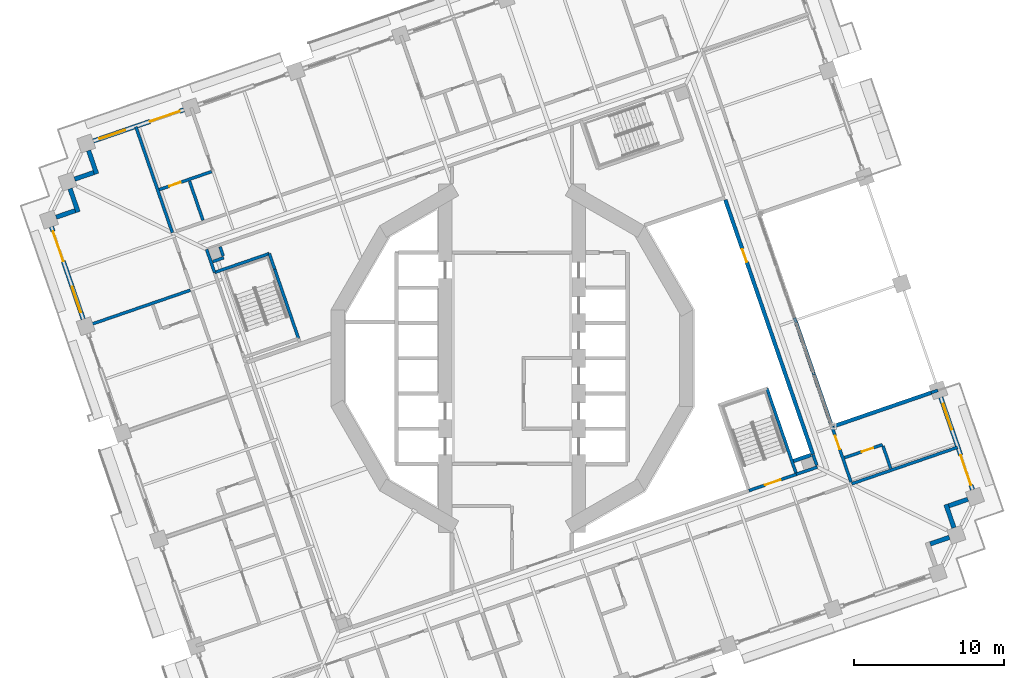
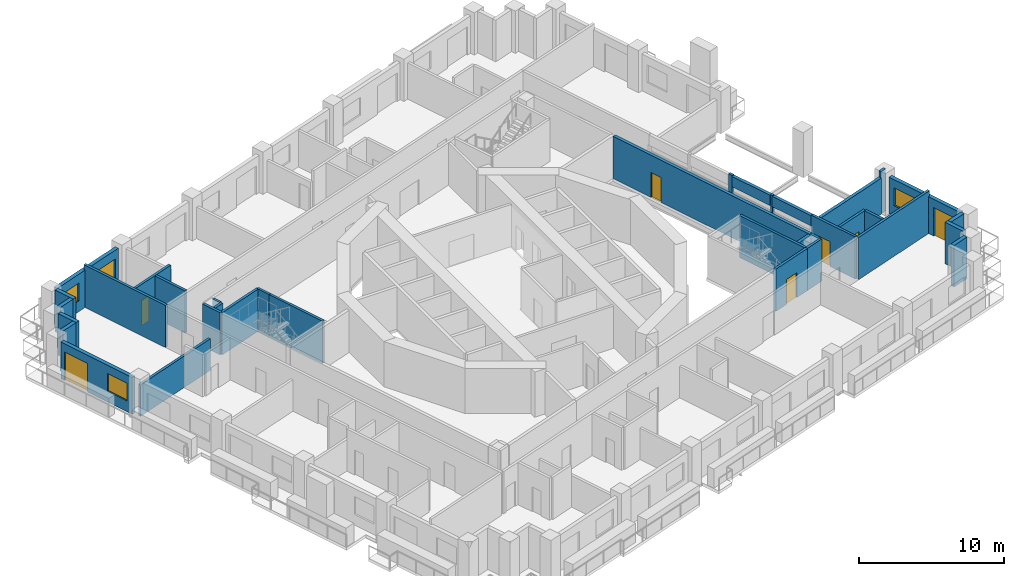
# One storey, part 11 of 21: 36 walls, 8 doors, 3 windows, 11 openings.
"""IFC4 building model written with IfcOpenShell, lengths in metres."""

import ifcopenshell
import ifcopenshell.guid

model = None  # the IFC model being written
_history = None  # IfcOwnerHistory: only IFC2X3 demands one
_inside = {}  # id of a spatial element -> (the spatial element, [elements in it])
_under = {}  # id of a project, library or spatial element -> (it, [spatial elements below it])
_declared = {}  # id of a project -> (the project, [libraries it declares])
_typed = {}  # id of a type object -> (the type object, [elements of that type])
_made_of = {}  # id of a material, layer set ... -> (it, [elements and type objects made of it])


def new_model(schema):
    """Start an empty IFC model of exactly this schema.

    Asked for "IFC4X3", IfcOpenShell would pick the latest addendum, in which some entities
    have other attributes; the version numbers below select the first issue.
    IFC2X3 requires an IfcOwnerHistory on every rooted entity: one is made here for all.
    """
    global model, _history
    if schema == "IFC4X3":
        model = ifcopenshell.file(schema_version=(4, 3, 0, 0))
    else:
        model = ifcopenshell.file(schema=schema)
    _inside.clear()
    _under.clear()
    _declared.clear()
    _typed.clear()
    _made_of.clear()
    _history = None
    if model.schema == "IFC2X3":
        org = make("IfcOrganization", Name="unknown")
        user = make(
            "IfcPersonAndOrganization",
            ThePerson=make("IfcPerson", FamilyName="unknown"),
            TheOrganization=org,
        )
        app = make(
            "IfcApplication",
            ApplicationDeveloper=org,
            Version="unknown",
            ApplicationFullName="unknown",
            ApplicationIdentifier="unknown",
        )
        _history = make(
            "IfcOwnerHistory",
            OwningUser=user,
            OwningApplication=app,
            ChangeAction="ADDED",
            CreationDate=0,
        )
    return model


def make(cls, **values):
    """One entity of the class cls with the attributes given. An attribute that is None is left unset."""
    return model.create_entity(
        cls, **{name: value for name, value in values.items() if value is not None}
    )


def rooted(cls, **values):
    """An entity with a GlobalId (a new one), such as an element, a storey or a relation."""
    return make(cls, GlobalId=ifcopenshell.guid.new(), OwnerHistory=_history, **values)


def si_unit(unit_type, name, prefix=None):
    """IfcSIUnit, for example si_unit("LENGTHUNIT", "METRE", prefix="MILLI")."""
    return make("IfcSIUnit", UnitType=unit_type, Prefix=prefix, Name=name)


def assignment(units):
    """IfcUnitAssignment: the units of a project."""
    return None if units is None else make("IfcUnitAssignment", Units=units)


def point(xyz):
    """IfcCartesianPoint."""
    return None if xyz is None else make("IfcCartesianPoint", Coordinates=xyz)


def direction(xyz):
    """IfcDirection."""
    return None if xyz is None else make("IfcDirection", DirectionRatios=xyz)


def frame(location, z_axis=None, x_axis=None):
    """IfcAxis2Placement3D, a coordinate frame: its origin and axes. An axis left out is left unset."""
    return make(
        "IfcAxis2Placement3D",
        Location=point(location),
        Axis=direction(z_axis),
        RefDirection=direction(x_axis),
    )


def frame_2d(location, x_axis=None):
    """IfcAxis2Placement2D, a coordinate frame in the plane: its origin and x axis."""
    return make(
        "IfcAxis2Placement2D", Location=point(location), RefDirection=direction(x_axis)
    )


def origin():
    """The frame at (0, 0, 0) with its axes left unset."""
    return frame((0.0, 0.0, 0.0))


def place(relative_to, where):
    """IfcLocalPlacement: puts the frame where relative to a parent placement (None: the world)."""
    return make(
        "IfcLocalPlacement", PlacementRelTo=relative_to, RelativePlacement=where
    )


def context(
    kind, dimensions, precision=None, world=None, true_north=None, identifier=None
):
    """IfcGeometricRepresentationContext, for example the 3D "Model" context."""
    return make(
        "IfcGeometricRepresentationContext",
        ContextIdentifier=identifier,
        ContextType=kind,
        CoordinateSpaceDimension=dimensions,
        Precision=precision,
        WorldCoordinateSystem=world,
        TrueNorth=true_north,
    )


def subcontext(parent, identifier, kind, view, scale=None):
    """IfcGeometricRepresentationSubContext, for example "Body" below "Model"."""
    return make(
        "IfcGeometricRepresentationSubContext",
        ContextIdentifier=identifier,
        ContextType=kind,
        ParentContext=parent,
        TargetScale=scale,
        TargetView=view,
    )


def project(units=None, contexts=None):
    """IfcProject with its units and contexts."""
    return rooted(
        "IfcProject",
        Name="project",
        RepresentationContexts=contexts,
        UnitsInContext=assignment(units),
    )


def spatial(cls, under=None, at=None, **own):
    """A site, building, storey or space (cls), placed at a placement, below another one or the project."""
    s = rooted(cls, ObjectPlacement=at, **own)
    if under is not None:
        _under.setdefault(under.id(), (under, []))[1].append(s)
    return s


def profile(cls, at=None, kind="AREA", **sizes):
    """A parametric profile (cls). Its sizes go by their IFC names, for example OverallWidth=200.0."""
    return make(cls, ProfileType=kind, Position=at, **sizes)


def rectangle(**sizes):
    """IfcRectangleProfileDef."""
    return profile("IfcRectangleProfileDef", **sizes)


def extrude(swept, where, along, depth):
    """IfcExtrudedAreaSolid: the profile swept, set in the frame where, extruded along a direction by depth."""
    return make(
        "IfcExtrudedAreaSolid",
        SweptArea=swept,
        Position=where,
        ExtrudedDirection=direction(along),
        Depth=depth,
    )


def shape(context_of_items, identifier, shape_type, items):
    """IfcShapeRepresentation: the items that make up one representation, for example the "Body"."""
    return make(
        "IfcShapeRepresentation",
        ContextOfItems=context_of_items,
        RepresentationIdentifier=identifier,
        RepresentationType=shape_type,
        Items=items,
    )


def material(Name=None, Category=None):
    """IfcMaterial."""
    return make("IfcMaterial", Name=Name, Category=Category)


def layer(
    of_material, thickness, ventilated=None, Name=None, Category=None, Priority=None
):
    """IfcMaterialLayer: one layer of a wall or slab, of a material (None: an air gap)."""
    return make(
        "IfcMaterialLayer",
        Material=of_material,
        LayerThickness=thickness,
        IsVentilated=ventilated,
        Name=Name,
        Category=Category,
        Priority=Priority,
    )


def layer_set(layers, Name=None):
    """IfcMaterialLayerSet."""
    return make("IfcMaterialLayerSet", MaterialLayers=layers, LayerSetName=Name)


def made_of(thing, what):
    """Note that an element or type object is made of a material, layer set ...; save() writes the relation."""
    if what is not None:
        _made_of.setdefault(what.id(), (what, []))[1].append(thing)
    return thing


def type_object(cls, material=None, **own):
    """A type object (cls), such as IfcWallType, which elements share."""
    return made_of(rooted(cls, **own), material)


def element(
    cls,
    number,
    at=None,
    inside=None,
    cuts=None,
    type_object=None,
    material=None,
    context=None,
    identifier="Body",
    shape_type=None,
    held_by="IfcProductDefinitionShape",
    body=None,
    shapes=None,
    **own,
):
    """One element of the class cls, such as IfcWall. Its Tag is "e" and its number.

    at: its placement. inside: the storey or other place that contains it. cuts: it is an
    opening in that element (IfcRelVoidsElement). A single representation is given by context,
    identifier, shape_type and body (its items); several are given by shapes. held_by: the class
    of the entity that holds the representations. save() writes the other relations.
    """
    e = rooted(cls, Tag="e%d" % number, ObjectPlacement=at, **own)
    if body is not None:
        shapes = [shape(context, identifier, shape_type, body)]
    if shapes is not None:
        e.Representation = make(held_by, Representations=shapes)
    if inside is not None:
        _inside.setdefault(inside.id(), (inside, []))[1].append(e)
    if cuts is not None:
        rooted(
            "IfcRelVoidsElement", RelatingBuildingElement=cuts, RelatedOpeningElement=e
        )
    if type_object is not None:
        _typed.setdefault(type_object.id(), (type_object, []))[1].append(e)
    return made_of(e, material)


def fill(opening, filler):
    """IfcRelFillsElement: the door or window that sits in an opening."""
    return rooted(
        "IfcRelFillsElement",
        RelatingOpeningElement=opening,
        RelatedBuildingElement=filler,
    )


def aggregate(whole, parts):
    """IfcRelAggregates: a whole, such as a stair, and the parts it consists of."""
    return rooted("IfcRelAggregates", RelatingObject=whole, RelatedObjects=parts)


def save(model, path):
    """Write the relations noted so far, then the file.

    IfcRelAggregates (storeys below a building ...), IfcRelContainedInSpatialStructure (elements
    in a storey), IfcRelDefinesByType, IfcRelAssociatesMaterial and IfcRelDeclares: one each for
    every whole, place, type object, material and project.
    """
    for whole, parts in _under.values():
        aggregate(whole, parts)
    for where, things in _inside.values():
        rooted(
            "IfcRelContainedInSpatialStructure",
            RelatedElements=things,
            RelatingStructure=where,
        )
    for kind, things in _typed.values():
        rooted("IfcRelDefinesByType", RelatedObjects=things, RelatingType=kind)
    for what, things in _made_of.values():
        rooted("IfcRelAssociatesMaterial", RelatedObjects=things, RelatingMaterial=what)
    for by, libraries in _declared.values():
        rooted("IfcRelDeclares", RelatingContext=by, RelatedDefinitions=libraries)
    model.write(path)


model = new_model("IFC4")

# Units and contexts
model_context = context("Model", 3, precision=1e-05, world=origin(), true_north=direction((0.0, 1.0)))
body_context = subcontext(model_context, "Body", "Model", "MODEL_VIEW")
ifc_project = project(units=[si_unit("LENGTHUNIT", "METRE"), si_unit("AREAUNIT", "SQUARE_METRE"), si_unit("VOLUMEUNIT", "CUBIC_METRE"), si_unit("PLANEANGLEUNIT", "RADIAN"), si_unit("MASSUNIT", "GRAM", prefix="KILO")], contexts=[model_context])

# Site, building, storey
site_placement = place(None, origin())
site = spatial("IfcSite", under=ifc_project, at=site_placement, CompositionType="ELEMENT")
building_placement = place(site_placement, origin())
building = spatial("IfcBuilding", under=site, at=building_placement, Name="Cantera Rosa Tower", CompositionType="ELEMENT")
storey_placement = place(building_placement, frame((0.0, 0.0, 119.300048828125)))
storey = spatial("IfcBuildingStorey", under=building, at=storey_placement, Name="L24", CompositionType="ELEMENT", Elevation=119.300048828125)

# Walls
ifc_material_1 = material(Name="Gypsum board partition")
ifc_layer_1 = layer(ifc_material_1, 0.199951171875)
ifc_layer_set_1 = layer_set([ifc_layer_1], Name="CORRIDOR WALL 200 H3550")
wall_type_1 = type_object("IfcWallType", Name="CORRIDOR WALL 200 H3550", PredefinedType="PARTITIONING", material=ifc_layer_set_1)
wall_1_placement = place(storey_placement, frame((-20.37451171875, 7.262451171875, 0.0), z_axis=(0.0, 0.0, 1.0), x_axis=(0.325532736599, -0.945530770204, 0.0)))
element("IfcWall", 1, at=wall_1_placement, inside=storey, type_object=wall_type_1, Name="CORRIDOR WALL L24-008", PredefinedType="PARTITIONING", context=body_context, shape_type="SweptSolid", body=[
    extrude(rectangle(XDim=1.626708984375, YDim=0.199951171875, at=frame_2d((0.8134765625, 0.0))), origin(), (0.0, 0.0, 1.0), 3.550048828125),
])
wall_2_placement = place(storey_placement, frame((18.978271484375, -7.7431640625, 0.0), z_axis=(0.0, 0.0, 1.0), x_axis=(0.945529243519, 0.32553717092, 0.0)))
element("IfcWall", 2, at=wall_2_placement, inside=storey, type_object=wall_type_1, Name="CORRIDOR WALL L24-101", PredefinedType="PARTITIONING", context=body_context, shape_type="SweptSolid", body=[
    extrude(rectangle(XDim=1.4765625, YDim=0.199951171875, at=frame_2d((0.73828125, 0.0))), origin(), (0.0, 0.0, 1.0), 3.550048828125),
])
wall_3_placement = place(storey_placement, frame((20.33544921875, -7.14892578125, 0.0), z_axis=(0.0, 0.0, 1.0), x_axis=(-0.32575306004, 0.945454887276, 0.0)))
element("IfcWall", 3, at=wall_3_placement, inside=storey, type_object=wall_type_1, Name="CORRIDOR WALL L24-104", PredefinedType="PARTITIONING", context=body_context, shape_type="SweptSolid", body=[
    extrude(rectangle(XDim=0.760009765625, YDim=0.199951171875, at=frame_2d((0.3798828125, 0.0))), origin(), (0.0, 0.0, 1.0), 3.550048828125),
])

# Wall, opening, door
wall_4_placement = place(storey_placement, frame((22.623291015625, -8.264892578125, 0.0), z_axis=(0.0, 0.0, 1.0), x_axis=(-0.325528940761, 0.945532077048, 0.0)))
wall_4 = element("IfcWall", 4, at=wall_4_placement, inside=storey, type_object=wall_type_1, Name="CORRIDOR WALL L24-107", PredefinedType="PARTITIONING", context=body_context, shape_type="SweptSolid", body=[
    extrude(rectangle(XDim=4.025146484375, YDim=0.199951171875, at=frame_2d((2.0126953125, 0.0))), origin(), (0.0, 0.0, 1.0), 3.550048828125),
])
opening_1_placement = place(wall_4_placement, frame((2.31494140625, 0.0, 0.0)))
opening_1 = element("IfcOpeningElement", 5, at=opening_1_placement, cuts=wall_4, Name="Opening L24-015", PredefinedType="OPENING", context=body_context, shape_type="SweptSolid", body=[
    extrude(rectangle(XDim=0.949951171875, YDim=2.10009765625, at=frame_2d((0.47509765625, 1.050048828125))), frame((0.0, 0.10986328125, 0.0), z_axis=(0.0, -1.0, 0.0), x_axis=(1.0, 0.0, 0.0)), (0.0, 0.0, 1.0), 0.219970703125),
])
ifc_material_2 = material(Name="Timber door leaf", Category="wood")
door_type_1 = type_object("IfcDoorType", Name="ROOM DOOR 950x2100", OperationType="NOTDEFINED", PredefinedType="DOOR", material=ifc_material_2)
door_1_placement = place(opening_1_placement, origin())
door_1 = element("IfcDoor", 6, at=door_1_placement, inside=storey, type_object=door_type_1, Name="DOOR L24-015", OperationType="NOTDEFINED", OverallHeight=2.10009765625, OverallWidth=0.949951171875, PredefinedType="DOOR", context=body_context, shape_type="SweptSolid", body=[
    extrude(rectangle(XDim=0.949951171875, YDim=2.10009765625, at=frame_2d((0.47509765625, 1.050048828125))), frame((0.0, 0.02490234375, 0.0), z_axis=(0.0, -1.0, 0.0), x_axis=(1.0, 0.0, 0.0)), (0.0, 0.0, 1.0), 0.050048828125),
])
fill(opening_1, door_1)

# Walls
wall_5_placement = place(storey_placement, frame((20.160888671875, -1.114013671875, 0.0), z_axis=(0.0, 0.0, 1.0), x_axis=(-0.324517262763, 0.945879773634, 0.0)))
element("IfcWall", 7, at=wall_5_placement, inside=storey, type_object=wall_type_1, Name="CORRIDOR WALL L24-108", PredefinedType="PARTITIONING", context=body_context, shape_type="SweptSolid", body=[
    extrude(rectangle(XDim=0.194091796875, YDim=0.199951171875, at=frame_2d((0.09716796875, 0.0))), origin(), (0.0, 0.0, 1.0), 3.550048828125),
])
wall_6_placement = place(storey_placement, frame((18.95947265625, 2.3759765625, 0.0), z_axis=(0.0, 0.0, 1.0), x_axis=(-0.325696116443, 0.945474505068, 0.0)))
element("IfcWall", 8, at=wall_6_placement, inside=storey, type_object=wall_type_1, Name="CORRIDOR WALL L24-109", PredefinedType="PARTITIONING", context=body_context, shape_type="SweptSolid", body=[
    extrude(rectangle(XDim=0.33203125, YDim=0.199951171875, at=frame_2d((0.166015625, 0.0))), origin(), (0.0, 0.0, 1.0), 3.550048828125),
])
ifc_material_3 = material(Name="Hollow clay masonry with cantera stone cladding", Category="masonry")
ifc_layer_2 = layer(ifc_material_3, 0.300048828125)
ifc_layer_set_2 = layer_set([ifc_layer_2], Name="EW-LOGGIA 300")
wall_type_2 = type_object("IfcWallType", Name="EW-LOGGIA 300", PredefinedType="SOLIDWALL", material=ifc_layer_set_2)
wall_7_placement = place(storey_placement, frame((-28.250732421875, 13.857421875, 0.0), z_axis=(0.0, 0.0, 1.0), x_axis=(0.325666906351, -0.945484566827, 0.0)))
element("IfcWall", 9, at=wall_7_placement, inside=storey, type_object=wall_type_2, Name="EN-L24-W14a", PredefinedType="SOLIDWALL", context=body_context, shape_type="SweptSolid", body=[
    extrude(rectangle(XDim=1.64990234375, YDim=0.300048828125, at=frame_2d((0.824951171875, 0.0))), origin(), (0.0, 0.0, 1.0), 3.5),
])
wall_8_placement = place(storey_placement, frame((-27.904052734375, 12.390380859375, 0.0), z_axis=(0.0, 0.0, 1.0), x_axis=(-0.945545797087, -0.325489086777, 0.0)))
element("IfcWall", 10, at=wall_8_placement, inside=storey, type_object=wall_type_2, Name="EN-L24-W14b", PredefinedType="SOLIDWALL", context=body_context, shape_type="SweptSolid", body=[
    extrude(rectangle(XDim=1.35009765625, YDim=0.300048828125, at=frame_2d((0.675048828125, 0.0))), origin(), (0.0, 0.0, 1.0), 3.5),
])
wall_9_placement = place(storey_placement, frame((-29.490478515625, 11.315185546875, 0.0), z_axis=(0.0, 0.0, 1.0), x_axis=(0.32553462645, -0.945530119553, 0.0)))
element("IfcWall", 11, at=wall_9_placement, inside=storey, type_object=wall_type_2, Name="EN-L24-W15a", PredefinedType="SOLIDWALL", context=body_context, shape_type="SweptSolid", body=[
    extrude(rectangle(XDim=1.64990234375, YDim=0.300048828125, at=frame_2d((0.824951171875, 0.0))), origin(), (0.0, 0.0, 1.0), 3.5),
])
wall_10_placement = place(storey_placement, frame((-29.14404296875, 9.84814453125, 0.0), z_axis=(0.0, 0.0, 1.0), x_axis=(-0.945526634763, -0.325544748006, 0.0)))
element("IfcWall", 12, at=wall_10_placement, inside=storey, type_object=wall_type_2, Name="EN-L24-W15b", PredefinedType="SOLIDWALL", context=body_context, shape_type="SweptSolid", body=[
    extrude(rectangle(XDim=1.349853515625, YDim=0.300048828125, at=frame_2d((0.6748046875, 0.0))), origin(), (0.0, 0.0, 1.0), 3.5),
])
wall_11_placement = place(storey_placement, frame((27.904052734375, -12.390380859375, 0.0), z_axis=(0.0, 0.0, 1.0), x_axis=(0.945545797087, 0.325489086777, 0.0)))
element("IfcWall", 13, at=wall_11_placement, inside=storey, type_object=wall_type_2, Name="EN-L24-W29b", PredefinedType="SOLIDWALL", context=body_context, shape_type="SweptSolid", body=[
    extrude(rectangle(XDim=1.35009765625, YDim=0.300048828125, at=frame_2d((0.675048828125, 0.0))), origin(), (0.0, 0.0, 1.0), 3.5),
])
wall_12_placement = place(storey_placement, frame((29.490478515625, -11.315185546875, 0.0), z_axis=(0.0, 0.0, 1.0), x_axis=(-0.32553462645, 0.945530119553, 0.0)))
element("IfcWall", 14, at=wall_12_placement, inside=storey, type_object=wall_type_2, Name="EN-L24-W30a", PredefinedType="SOLIDWALL", context=body_context, shape_type="SweptSolid", body=[
    extrude(rectangle(XDim=1.64990234375, YDim=0.300048828125, at=frame_2d((0.824951171875, 0.0))), origin(), (0.0, 0.0, 1.0), 3.5),
])
wall_13_placement = place(storey_placement, frame((29.14404296875, -9.84814453125, 0.0), z_axis=(0.0, 0.0, 1.0), x_axis=(0.945526634763, 0.325544748006, 0.0)))
element("IfcWall", 15, at=wall_13_placement, inside=storey, type_object=wall_type_2, Name="EN-L24-W30b", PredefinedType="SOLIDWALL", context=body_context, shape_type="SweptSolid", body=[
    extrude(rectangle(XDim=1.349853515625, YDim=0.300048828125, at=frame_2d((0.6748046875, 0.0))), origin(), (0.0, 0.0, 1.0), 3.5),
])

# Wall, openings, window, door
ifc_material_4 = material(Name="Hollow clay masonry with cantera stone cladding", Category="masonry")
ifc_layer_3 = layer(ifc_material_4, 0.300048828125)
ifc_layer_set_3 = layer_set([ifc_layer_3], Name="EW-LOGGIA 300 H3090")
wall_type_3 = type_object("IfcWallType", Name="EW-LOGGIA 300 H3090", PredefinedType="SOLIDWALL", material=ifc_layer_set_3)
wall_14_placement = place(storey_placement, frame((30.73046875, -8.773193359375, 0.0), z_axis=(0.0, 0.0, 1.0), x_axis=(-0.325580990241, 0.945514155787, 0.0)))
wall_14 = element("IfcWall", 16, at=wall_14_placement, inside=storey, type_object=wall_type_3, Name="EN-L24-W01", PredefinedType="SOLIDWALL", context=body_context, shape_type="SweptSolid", body=[
    extrude(rectangle(XDim=6.52001953125, YDim=0.300048828125, at=frame_2d((3.260009765625, 0.0))), origin(), (0.0, 0.0, 1.0), 3.08984375),
])
opening_2_placement = place(wall_14_placement, frame((0.330078125, 0.0, 0.0)))
opening_2 = element("IfcOpeningElement", 17, at=opening_2_placement, cuts=wall_14, Name="Opening L24-TD01", PredefinedType="OPENING", context=body_context, shape_type="SweptSolid", body=[
    extrude(rectangle(XDim=2.10009765625, YDim=2.39990234375, at=frame_2d((1.050048828125, 1.199951171875))), frame((0.0, 0.159912109375, 0.0), z_axis=(0.0, -1.0, 0.0), x_axis=(1.0, 0.0, 0.0)), (0.0, 0.0, 1.0), 0.320068359375),
])
opening_3_placement = place(wall_14_placement, frame((4.239990234375, 0.0, 0.89990234375)))
opening_3 = element("IfcOpeningElement", 18, at=opening_3_placement, cuts=wall_14, Name="Opening L24-W02", PredefinedType="OPENING", context=body_context, shape_type="SweptSolid", body=[
    extrude(rectangle(XDim=1.800048828125, YDim=1.5, at=frame_2d((0.89990234375, 0.75))), frame((0.0, 0.159912109375, 0.0), z_axis=(0.0, -1.0, 0.0), x_axis=(1.0, 0.0, 0.0)), (0.0, 0.0, 1.0), 0.320068359375),
])
ifc_material_5 = material(Name="Aluminium frame with clear glass", Category="aluminium")
window_type = type_object("IfcWindowType", Name="Hotel room window 1800x1500", PartitioningType="DOUBLE_PANEL_VERTICAL", PredefinedType="WINDOW", material=ifc_material_5)
window_1_placement = place(opening_3_placement, origin())
window_1 = element("IfcWindow", 19, at=window_1_placement, inside=storey, type_object=window_type, Name="WINDOW L24-W02", OverallHeight=1.5, OverallWidth=1.800048828125, PartitioningType="SINGLE_PANEL", PredefinedType="WINDOW", context=body_context, shape_type="SweptSolid", body=[
    extrude(rectangle(XDim=1.800048828125, YDim=1.5, at=frame_2d((0.89990234375, 0.75))), frame((0.0, 0.030029296875, 0.0), z_axis=(0.0, -1.0, 0.0), x_axis=(1.0, 0.0, 0.0)), (0.0, 0.0, 1.0), 0.06005859375),
])
fill(opening_3, window_1)
ifc_material_6 = material(Name="Aluminium frame with clear glass", Category="aluminium")
door_type_2 = type_object("IfcDoorType", Name="TD-H 2100x2400", OperationType="NOTDEFINED", PredefinedType="DOOR", material=ifc_material_6)
door_2_placement = place(opening_2_placement, origin())
door_2 = element("IfcDoor", 20, at=door_2_placement, inside=storey, type_object=door_type_2, Name="LOGGIA DOOR L24-TD01", OperationType="SLIDING_TO_LEFT", OverallHeight=2.39990234375, OverallWidth=2.10009765625, PredefinedType="DOOR", context=body_context, shape_type="SweptSolid", body=[
    extrude(rectangle(XDim=2.10009765625, YDim=2.39990234375, at=frame_2d((1.050048828125, 1.199951171875))), frame((0.0, 0.02490234375, 0.0), z_axis=(0.0, -1.0, 0.0), x_axis=(1.0, 0.0, 0.0)), (0.0, 0.0, 1.0), 0.050048828125),
])
fill(opening_2, door_2)

wall_15_placement = place(storey_placement, frame((-30.73046875, 8.773193359375, 0.0), z_axis=(0.0, 0.0, 1.0), x_axis=(0.325580990241, -0.945514155787, 0.0)))
wall_15 = element("IfcWall", 21, at=wall_15_placement, inside=storey, type_object=wall_type_3, Name="EN-L24-W16", PredefinedType="SOLIDWALL", context=body_context, shape_type="SweptSolid", body=[
    extrude(rectangle(XDim=6.52001953125, YDim=0.300048828125, at=frame_2d((3.260009765625, 0.0))), origin(), (0.0, 0.0, 1.0), 3.08984375),
])
opening_4_placement = place(wall_15_placement, frame((0.330078125, 0.0, 0.0)))
opening_4 = element("IfcOpeningElement", 22, at=opening_4_placement, cuts=wall_15, Name="Opening L24-TD19", PredefinedType="OPENING", context=body_context, shape_type="SweptSolid", body=[
    extrude(rectangle(XDim=2.10009765625, YDim=2.39990234375, at=frame_2d((1.050048828125, 1.199951171875))), frame((0.0, 0.159912109375, 0.0), z_axis=(0.0, -1.0, 0.0), x_axis=(1.0, 0.0, 0.0)), (0.0, 0.0, 1.0), 0.320068359375),
])
opening_5_placement = place(wall_15_placement, frame((4.239990234375, 0.0, 0.89990234375)))
opening_5 = element("IfcOpeningElement", 23, at=opening_5_placement, cuts=wall_15, Name="Opening L24-W20", PredefinedType="OPENING", context=body_context, shape_type="SweptSolid", body=[
    extrude(rectangle(XDim=1.800048828125, YDim=1.5, at=frame_2d((0.89990234375, 0.75))), frame((0.0, 0.159912109375, 0.0), z_axis=(0.0, -1.0, 0.0), x_axis=(1.0, 0.0, 0.0)), (0.0, 0.0, 1.0), 0.320068359375),
])
window_2_placement = place(opening_5_placement, origin())
window_2 = element("IfcWindow", 24, at=window_2_placement, inside=storey, type_object=window_type, Name="WINDOW L24-W20", OverallHeight=1.5, OverallWidth=1.800048828125, PartitioningType="SINGLE_PANEL", PredefinedType="WINDOW", context=body_context, shape_type="SweptSolid", body=[
    extrude(rectangle(XDim=1.800048828125, YDim=1.5, at=frame_2d((0.89990234375, 0.75))), frame((0.0, 0.030029296875, 0.0), z_axis=(0.0, -1.0, 0.0), x_axis=(1.0, 0.0, 0.0)), (0.0, 0.0, 1.0), 0.06005859375),
])
fill(opening_5, window_2)
door_3_placement = place(opening_4_placement, origin())
door_3 = element("IfcDoor", 25, at=door_3_placement, inside=storey, type_object=door_type_2, Name="LOGGIA DOOR L24-TD19", OperationType="SLIDING_TO_LEFT", OverallHeight=2.39990234375, OverallWidth=2.10009765625, PredefinedType="DOOR", context=body_context, shape_type="SweptSolid", body=[
    extrude(rectangle(XDim=2.10009765625, YDim=2.39990234375, at=frame_2d((1.050048828125, 1.199951171875))), frame((0.0, 0.02490234375, 0.0), z_axis=(0.0, -1.0, 0.0), x_axis=(1.0, 0.0, 0.0)), (0.0, 0.0, 1.0), 0.050048828125),
])
fill(opening_4, door_3)

ifc_material_7 = material(Name="Hollow clay masonry with cantera stone cladding", Category="masonry")
ifc_layer_4 = layer(ifc_material_7, 0.300048828125)
ifc_layer_set_4 = layer_set([ifc_layer_4], Name="EW-LOGGIA 300 H3140")
wall_type_4 = type_object("IfcWallType", Name="EW-LOGGIA 300 H3140", PredefinedType="SOLIDWALL", material=ifc_layer_set_4)
wall_16_placement = place(storey_placement, frame((-21.889404296875, 16.57666015625, 0.0), z_axis=(0.0, 0.0, 1.0), x_axis=(-0.945512753621, -0.325585062219, 0.0)))
wall_16 = element("IfcWall", 26, at=wall_16_placement, inside=storey, type_object=wall_type_4, Name="EN-L24-W13", PredefinedType="SOLIDWALL", context=body_context, shape_type="SweptSolid", body=[
    extrude(rectangle(XDim=6.39990234375, YDim=0.300048828125, at=frame_2d((3.199951171875, 0.0))), origin(), (0.0, 0.0, 1.0), 3.139892578125),
])
opening_6_placement = place(wall_16_placement, frame((0.300048828125, 0.0, 0.0)))
opening_6 = element("IfcOpeningElement", 27, at=opening_6_placement, cuts=wall_16, Name="Opening L24-TD17", PredefinedType="OPENING", context=body_context, shape_type="SweptSolid", body=[
    extrude(rectangle(XDim=2.10009765625, YDim=2.39990234375, at=frame_2d((1.050048828125, 1.199951171875))), frame((0.0, 0.159912109375, 0.0), z_axis=(0.0, -1.0, 0.0), x_axis=(1.0, 0.0, 0.0)), (0.0, 0.0, 1.0), 0.320068359375),
])
opening_7_placement = place(wall_16_placement, frame((4.14990234375, 0.0, 0.89990234375)))
opening_7 = element("IfcOpeningElement", 28, at=opening_7_placement, cuts=wall_16, Name="Opening L24-W18", PredefinedType="OPENING", context=body_context, shape_type="SweptSolid", body=[
    extrude(rectangle(XDim=1.800048828125, YDim=1.5, at=frame_2d((0.89990234375, 0.75))), frame((0.0, 0.159912109375, 0.0), z_axis=(0.0, -1.0, 0.0), x_axis=(1.0, 0.0, 0.0)), (0.0, 0.0, 1.0), 0.320068359375),
])
window_3_placement = place(opening_7_placement, origin())
window_3 = element("IfcWindow", 29, at=window_3_placement, inside=storey, type_object=window_type, Name="WINDOW L24-W18", OverallHeight=1.5, OverallWidth=1.800048828125, PartitioningType="SINGLE_PANEL", PredefinedType="WINDOW", context=body_context, shape_type="SweptSolid", body=[
    extrude(rectangle(XDim=1.800048828125, YDim=1.5, at=frame_2d((0.89990234375, 0.75))), frame((0.0, 0.030029296875, 0.0), z_axis=(0.0, -1.0, 0.0), x_axis=(1.0, 0.0, 0.0)), (0.0, 0.0, 1.0), 0.06005859375),
])
fill(opening_7, window_3)
door_4_placement = place(opening_6_placement, origin())
door_4 = element("IfcDoor", 30, at=door_4_placement, inside=storey, type_object=door_type_2, Name="LOGGIA DOOR L24-TD17", OperationType="SLIDING_TO_LEFT", OverallHeight=2.39990234375, OverallWidth=2.10009765625, PredefinedType="DOOR", context=body_context, shape_type="SweptSolid", body=[
    extrude(rectangle(XDim=2.10009765625, YDim=2.39990234375, at=frame_2d((1.050048828125, 1.199951171875))), frame((0.0, 0.02490234375, 0.0), z_axis=(0.0, -1.0, 0.0), x_axis=(1.0, 0.0, 0.0)), (0.0, 0.0, 1.0), 0.050048828125),
])
fill(opening_6, door_4)

# Walls
ifc_material_8 = material(Name="Concrete C40/50", Category="concrete")
ifc_layer_5 = layer(ifc_material_8, 0.25)
ifc_layer_set_5 = layer_set([ifc_layer_5], Name="EW-POCKET CHEEK 250 H3020")
wall_type_5 = type_object("IfcWallType", Name="EW-POCKET CHEEK 250 H3020", PredefinedType="SOLIDWALL", material=ifc_layer_set_5)
wall_17_placement = place(storey_placement, frame((27.97216796875, -2.29833984375, 0.0), z_axis=(0.0, 0.0, 1.0), x_axis=(-0.945519909688, -0.325564279958, 0.0)))
element("IfcWall", 31, at=wall_17_placement, inside=storey, type_object=wall_type_5, Name="POCKET CHEEK A L24", PredefinedType="SOLIDWALL", context=body_context, shape_type="SweptSolid", body=[
    extrude(rectangle(XDim=6.89990234375, YDim=0.25, at=frame_2d((3.449951171875, 0.0))), origin(), (0.0, 0.0, 1.0), 3.02001953125),
])
ifc_material_9 = material(Name="Hollow clay masonry with cantera stone cladding", Category="masonry")
ifc_layer_6 = layer(ifc_material_9, 0.25)
ifc_layer_set_6 = layer_set([ifc_layer_6], Name="EW-POCKET REAR 250")
wall_type_6 = type_object("IfcWallType", Name="EW-POCKET REAR 250", PredefinedType="SOLIDWALL", material=ifc_layer_set_6)
wall_18_placement = place(storey_placement, frame((21.31298828125, -4.459228515625, 2.634033203125), z_axis=(0.0, 0.0, 1.0), x_axis=(-0.3255483351, 0.945525399719, 0.0)))
element("IfcWall", 32, at=wall_18_placement, inside=storey, type_object=wall_type_6, Name="POCKET SPANDREL L24-1", PredefinedType="SOLIDWALL", context=body_context, shape_type="SweptSolid", body=[
    extrude(rectangle(XDim=3.5380859375, YDim=0.25, at=frame_2d((1.76904296875, 0.0))), origin(), (0.0, 0.0, 1.0), 0.865966796875),
])
wall_19_placement = place(storey_placement, frame((20.097900390625, -0.930419921875, 2.634033203125), z_axis=(0.0, 0.0, 1.0), x_axis=(-0.325553869417, 0.945523494212, 0.0)))
element("IfcWall", 33, at=wall_19_placement, inside=storey, type_object=wall_type_6, Name="POCKET SPANDREL L24-2", PredefinedType="SOLIDWALL", context=body_context, shape_type="SweptSolid", body=[
    extrude(rectangle(XDim=3.496826171875, YDim=0.25, at=frame_2d((1.74853515625, 0.0))), origin(), (0.0, 0.0, 1.0), 0.865966796875),
])
ifc_material_10 = material(Name="Gypsum board partition")
ifc_layer_7 = layer(ifc_material_10, 0.199951171875)
ifc_layer_set_7 = layer_set([ifc_layer_7], Name="PARTITION 200 H3550")
wall_type_7 = type_object("IfcWallType", Name="PARTITION 200 H3550", PredefinedType="PARTITIONING", material=ifc_layer_set_7)
wall_20_placement = place(storey_placement, frame((-21.52001953125, 11.817626953125, 0.0), z_axis=(0.0, 0.0, 1.0), x_axis=(0.325606281984, -0.945505446379, 0.0)))
element("IfcWall", 34, at=wall_20_placement, inside=storey, type_object=wall_type_7, Name="PARTITION L24-005", PredefinedType="PARTITIONING", context=body_context, shape_type="SweptSolid", body=[
    extrude(rectangle(XDim=2.760009765625, YDim=0.199951171875, at=frame_2d((1.3798828125, 0.0))), origin(), (0.0, 0.0, 1.0), 3.550048828125),
])
wall_21_placement = place(storey_placement, frame((-19.968017578125, 6.450439453125, 0.0), z_axis=(0.0, 0.0, 1.0), x_axis=(0.945539165087, 0.325508352099, 0.0)))
element("IfcWall", 35, at=wall_21_placement, inside=storey, type_object=wall_type_7, Name="PARTITION L24-009", PredefinedType="PARTITIONING", context=body_context, shape_type="SweptSolid", body=[
    extrude(rectangle(XDim=0.780029296875, YDim=0.199951171875, at=frame_2d((0.39013671875, 0.0))), origin(), (0.0, 0.0, 1.0), 3.550048828125),
])

# Wall, opening, door
wall_22_placement = place(storey_placement, frame((-20.046142578125, 12.451904296875, 0.0), z_axis=(0.0, 0.0, 1.0), x_axis=(-0.945515942466, -0.32557580153, 0.0)))
wall_22 = element("IfcWall", 36, at=wall_22_placement, inside=storey, type_object=wall_type_7, Name="PARTITION L24-010", PredefinedType="PARTITIONING", context=body_context, shape_type="SweptSolid", body=[
    extrude(rectangle(XDim=3.699951171875, YDim=0.199951171875, at=frame_2d((1.85009765625, 0.0))), origin(), (0.0, 0.0, 1.0), 3.550048828125),
])
opening_8_placement = place(wall_22_placement, frame((2.18994140625, 0.0, 0.0)))
opening_8 = element("IfcOpeningElement", 37, at=opening_8_placement, cuts=wall_22, Name="Opening L24-024", PredefinedType="OPENING", context=body_context, shape_type="SweptSolid", body=[
    extrude(rectangle(XDim=0.800048828125, YDim=2.10009765625, at=frame_2d((0.39990234375, 1.050048828125))), frame((0.0, 0.10986328125, 0.0), z_axis=(0.0, -1.0, 0.0), x_axis=(1.0, 0.0, 0.0)), (0.0, 0.0, 1.0), 0.219970703125),
])
ifc_material_11 = material(Name="Timber door leaf", Category="wood")
door_type_3 = type_object("IfcDoorType", Name="BATHROOM DOOR 800x2100", OperationType="NOTDEFINED", PredefinedType="DOOR", material=ifc_material_11)
door_5_placement = place(opening_8_placement, origin())
door_5 = element("IfcDoor", 38, at=door_5_placement, inside=storey, type_object=door_type_3, Name="DOOR L24-024", OperationType="NOTDEFINED", OverallHeight=2.10009765625, OverallWidth=0.800048828125, PredefinedType="DOOR", context=body_context, shape_type="SweptSolid", body=[
    extrude(rectangle(XDim=0.800048828125, YDim=2.10009765625, at=frame_2d((0.39990234375, 1.050048828125))), frame((0.0, 0.02490234375, 0.0), z_axis=(0.0, -1.0, 0.0), x_axis=(1.0, 0.0, 0.0)), (0.0, 0.0, 1.0), 0.050048828125),
])
fill(opening_8, door_5)

# Walls
wall_23_placement = place(storey_placement, frame((-19.26953125, 6.81787109375, 0.0), z_axis=(0.0, 0.0, 1.0), x_axis=(-0.32553462645, 0.945530119553, 0.0)))
element("IfcWall", 39, at=wall_23_placement, inside=storey, type_object=wall_type_7, Name="PARTITION L24-015", PredefinedType="PARTITIONING", context=body_context, shape_type="SweptSolid", body=[
    extrude(rectangle(XDim=0.659912109375, YDim=0.199951171875, at=frame_2d((0.330078125, 0.0))), origin(), (0.0, 0.0, 1.0), 3.550048828125),
])
wall_24_placement = place(storey_placement, frame((27.97216796875, -2.29833984375, 0.0), z_axis=(0.0, 0.0, 1.0), x_axis=(0.94546679243, 0.325718504865, 0.0)))
element("IfcWall", 40, at=wall_24_placement, inside=storey, type_object=wall_type_7, Name="PARTITION L24-105", PredefinedType="PARTITIONING", context=body_context, shape_type="SweptSolid", body=[
    extrude(rectangle(XDim=0.469970703125, YDim=0.199951171875, at=frame_2d((0.23486328125, 0.0))), origin(), (0.0, 0.0, 1.0), 3.550048828125),
])

# Wall, opening, door
wall_25_placement = place(storey_placement, frame((22.189697265625, -6.63720703125, 0.0), z_axis=(0.0, 0.0, 1.0), x_axis=(0.945549995074, 0.325476891368, 0.0)))
wall_25 = element("IfcWall", 41, at=wall_25_placement, inside=storey, type_object=wall_type_7, Name="PARTITION L24-106", PredefinedType="PARTITIONING", context=body_context, shape_type="SweptSolid", body=[
    extrude(rectangle(XDim=2.68017578125, YDim=0.199951171875, at=frame_2d((1.340087890625, 0.0))), origin(), (0.0, 0.0, 1.0), 3.550048828125),
])
opening_9_placement = place(wall_25_placement, frame((1.216064453125, 0.0, 0.0)))
opening_9 = element("IfcOpeningElement", 42, at=opening_9_placement, cuts=wall_25, Name="Opening L24-016", PredefinedType="OPENING", context=body_context, shape_type="SweptSolid", body=[
    extrude(rectangle(XDim=0.800048828125, YDim=2.10009765625, at=frame_2d((0.39990234375, 1.050048828125))), frame((0.0, 0.10986328125, 0.0), z_axis=(0.0, -1.0, 0.0), x_axis=(1.0, 0.0, 0.0)), (0.0, 0.0, 1.0), 0.219970703125),
])
door_6_placement = place(opening_9_placement, origin())
door_6 = element("IfcDoor", 43, at=door_6_placement, inside=storey, type_object=door_type_3, Name="DOOR L24-016", OperationType="NOTDEFINED", OverallHeight=2.10009765625, OverallWidth=0.800048828125, PredefinedType="DOOR", context=body_context, shape_type="SweptSolid", body=[
    extrude(rectangle(XDim=0.800048828125, YDim=2.10009765625, at=frame_2d((0.39990234375, 1.050048828125))), frame((0.0, 0.02490234375, 0.0), z_axis=(0.0, -1.0, 0.0), x_axis=(1.0, 0.0, 0.0)), (0.0, 0.0, 1.0), 0.050048828125),
])
fill(opening_9, door_6)

# Walls
wall_26_placement = place(storey_placement, frame((24.75634765625, -5.859375, 0.0), z_axis=(0.0, 0.0, 1.0), x_axis=(0.325576351052, -0.945515753246, 0.0)))
element("IfcWall", 44, at=wall_26_placement, inside=storey, type_object=wall_type_7, Name="PARTITION L24-113", PredefinedType="PARTITIONING", context=body_context, shape_type="SweptSolid", body=[
    extrude(rectangle(XDim=1.580078125, YDim=0.199951171875, at=frame_2d((0.7900390625, 0.0))), origin(), (0.0, 0.0, 1.0), 3.550048828125),
])
ifc_material_12 = material(Name="Gypsum board partition")
ifc_layer_8 = layer(ifc_material_12, 0.199951171875)
ifc_layer_set_8 = layer_set([ifc_layer_8], Name="PARTY WALL 200 H2650")
wall_type_8 = type_object("IfcWallType", Name="PARTY WALL 200 H2650", PredefinedType="PARTITIONING", material=ifc_layer_set_8)
wall_27_placement = place(storey_placement, frame((-28.41650390625, 2.145263671875, 0.0), z_axis=(0.0, 0.0, 1.0), x_axis=(0.945511269654, 0.32558937169, 0.0)))
element("IfcWall", 45, at=wall_27_placement, inside=storey, type_object=wall_type_8, Name="PARTY WALL L24-001", PredefinedType="PARTITIONING", context=body_context, shape_type="SweptSolid", body=[
    extrude(rectangle(XDim=7.349853515625, YDim=0.199951171875, at=frame_2d((3.6748046875, 0.0))), origin(), (0.0, 0.0, 1.0), 2.64990234375),
])
ifc_material_13 = material(Name="Gypsum board partition")
ifc_layer_9 = layer(ifc_material_13, 0.199951171875)
ifc_layer_set_9 = layer_set([ifc_layer_9], Name="PARTY WALL 200 H3550")
wall_type_9 = type_object("IfcWallType", Name="PARTY WALL 200 H3550", PredefinedType="PARTITIONING", material=ifc_layer_set_9)
for number, where, z_axis, x_axis, name in (
    (46, (-22.662353515625, 8.37841796875, 0.0), (0.0, 0.0, 1.0), (-0.325585748291, 0.945512517373, 0.0), "PARTY WALL L24-003"),
    (47, (29.725341796875, -5.9462890625, 0.0), (0.0, 0.0, 1.0), (-0.945512517373, -0.325585748291, 0.0), "PARTY WALL L24-114"),
):
    element("IfcWall", number, at=place(storey_placement, frame(where, z_axis=z_axis, x_axis=x_axis)), inside=storey, type_object=wall_type_9, Name=name, PredefinedType="PARTITIONING", context=body_context, shape_type="SweptSolid", body=[
        extrude(rectangle(XDim=7.469970703125, YDim=0.199951171875, at=frame_2d((3.73486328125, 0.0))), origin(), (0.0, 0.0, 1.0), 3.550048828125),
    ])

# Wall, opening, door
ifc_material_14 = material(Name="Masonry blockwork", Category="masonry")
ifc_layer_10 = layer(ifc_material_14, 0.25)
ifc_layer_set_10 = layer_set([ifc_layer_10], Name="SHAFT WALL 250 H3550")
wall_type_10 = type_object("IfcWallType", Name="SHAFT WALL 250 H3550", PredefinedType="SOLIDWALL", material=ifc_layer_set_10)
wall_28_placement = place(storey_placement, frame((20.081298828125, -6.411376953125, 0.0), z_axis=(0.0, 0.0, 1.0), x_axis=(-0.325567528954, 0.945518790977, 0.0)))
wall_28 = element("IfcWall", 48, at=wall_28_placement, inside=storey, type_object=wall_type_10, Name="SHAFT WALL L24-102", PredefinedType="SOLIDWALL", context=body_context, shape_type="SweptSolid", body=[
    extrude(rectangle(XDim=17.9599609375, YDim=0.25, at=frame_2d((8.97998046875, 0.0))), origin(), (0.0, 0.0, 1.0), 3.550048828125),
])
opening_10_placement = place(wall_28_placement, frame((13.577392578125, 0.0, 0.0)))
opening_10 = element("IfcOpeningElement", 49, at=opening_10_placement, cuts=wall_28, Name="Opening L24-006", PredefinedType="OPENING", context=body_context, shape_type="SweptSolid", body=[
    extrude(rectangle(XDim=0.89990234375, YDim=2.10009765625, at=frame_2d((0.449951171875, 1.050048828125))), frame((0.0, 0.135009765625, 0.0), z_axis=(0.0, -1.0, 0.0), x_axis=(1.0, 0.0, 0.0)), (0.0, 0.0, 1.0), 0.27001953125),
])
ifc_material_15 = material(Name="Timber door leaf", Category="wood")
door_type_4 = type_object("IfcDoorType", Name="SERVICE DOOR 900x2100", OperationType="NOTDEFINED", PredefinedType="DOOR", material=ifc_material_15)
door_7_placement = place(opening_10_placement, origin())
door_7 = element("IfcDoor", 50, at=door_7_placement, inside=storey, type_object=door_type_4, Name="RISER DOOR L24-006", OperationType="NOTDEFINED", OverallHeight=2.10009765625, OverallWidth=0.89990234375, PredefinedType="DOOR", context=body_context, shape_type="SweptSolid", body=[
    extrude(rectangle(XDim=0.89990234375, YDim=2.10009765625, at=frame_2d((0.449951171875, 1.050048828125))), frame((0.0, 0.02490234375, 0.0), z_axis=(0.0, -1.0, 0.0), x_axis=(1.0, 0.0, 0.0)), (0.0, 0.0, 1.0), 0.050048828125),
])
fill(opening_10, door_7)

# Walls
wall_29_placement = place(storey_placement, frame((19.94921875, -6.45703125, 0.0), z_axis=(0.0, 0.0, 1.0), x_axis=(-0.945538581865, -0.325510046241, 0.0)))
element("IfcWall", 51, at=wall_29_placement, inside=storey, type_object=wall_type_10, Name="SHAFT WALL L24-103", PredefinedType="SOLIDWALL", context=body_context, shape_type="SweptSolid", body=[
    extrude(rectangle(XDim=1.23681640625, YDim=0.25, at=frame_2d((0.618408203125, 0.0))), origin(), (0.0, 0.0, 1.0), 3.550048828125),
])
ifc_material_16 = material(Name="Concrete C50/60", Category="concrete")
ifc_layer_11 = layer(ifc_material_16, 0.199951171875)
ifc_layer_set_11 = layer_set([ifc_layer_11], Name="STAIR WALL 200 H3550")
wall_type_11 = type_object("IfcWallType", Name="STAIR WALL 200 H3550", PredefinedType="SOLIDWALL", material=ifc_layer_set_11)
wall_30_placement = place(storey_placement, frame((-16.193115234375, 6.98193359375, 0.0), z_axis=(0.0, 0.0, 1.0), x_axis=(-0.945507920529, -0.325599097382, 0.0)))
element("IfcWall", 52, at=wall_30_placement, inside=storey, type_object=wall_type_11, Name="STAIR WALL L24-023", PredefinedType="SOLIDWALL", context=body_context, shape_type="SweptSolid", body=[
    extrude(rectangle(XDim=3.8623046875, YDim=0.199951171875, at=frame_2d((1.93115234375, 0.0))), origin(), (0.0, 0.0, 1.0), 3.550048828125),
])
wall_31_placement = place(storey_placement, frame((-14.239501953125, 1.308837890625, 0.0), z_axis=(0.0, 0.0, 1.0), x_axis=(-0.325599106316, 0.945507917453, 0.0)))
element("IfcWall", 53, at=wall_31_placement, inside=storey, type_object=wall_type_11, Name="STAIR WALL L24-026", PredefinedType="SOLIDWALL", context=body_context, shape_type="SweptSolid", body=[
    extrude(rectangle(XDim=4.900146484375, YDim=0.199951171875, at=frame_2d((2.4501953125, 0.0))), origin(), (0.0, 0.0, 1.0), 3.550048828125),
])

# Wall, opening, door
wall_32_placement = place(storey_placement, frame((15.810791015625, -8.833740234375, 0.0), z_axis=(0.0, 0.0, 1.0), x_axis=(0.945525450469, 0.325548187702, 0.0)))
wall_32 = element("IfcWall", 54, at=wall_32_placement, inside=storey, type_object=wall_type_11, Name="STAIR WALL L24-097", PredefinedType="SOLIDWALL", context=body_context, shape_type="SweptSolid", body=[
    extrude(rectangle(XDim=3.349853515625, YDim=0.199951171875, at=frame_2d((1.6748046875, 0.0))), origin(), (0.0, 0.0, 1.0), 3.550048828125),
])
opening_11_placement = place(wall_32_placement, frame((1.125, 0.0, 0.0)))
opening_11 = element("IfcOpeningElement", 55, at=opening_11_placement, cuts=wall_32, Name="Opening L24-003", PredefinedType="OPENING", context=body_context, shape_type="SweptSolid", body=[
    extrude(rectangle(XDim=1.10009765625, YDim=2.10009765625, at=frame_2d((0.550048828125, 1.050048828125))), frame((0.0, 0.10986328125, 0.0), z_axis=(0.0, -1.0, 0.0), x_axis=(1.0, 0.0, 0.0)), (0.0, 0.0, 1.0), 0.219970703125),
])
ifc_material_17 = material(Name="Steel S355J2 (EN 10025-2)", Category="steel")
door_type_5 = type_object("IfcDoorType", Name="STAIR DOOR 1100x2100", OperationType="NOTDEFINED", PredefinedType="DOOR", material=ifc_material_17)
door_8_placement = place(opening_11_placement, origin())
door_8 = element("IfcDoor", 56, at=door_8_placement, inside=storey, type_object=door_type_5, Name="DOOR L24-003", OperationType="NOTDEFINED", OverallHeight=2.10009765625, OverallWidth=1.10009765625, PredefinedType="DOOR", context=body_context, shape_type="SweptSolid", body=[
    extrude(rectangle(XDim=1.10009765625, YDim=2.10009765625, at=frame_2d((0.550048828125, 1.050048828125))), frame((0.0, 0.02490234375, 0.0), z_axis=(0.0, -1.0, 0.0), x_axis=(1.0, 0.0, 0.0)), (0.0, 0.0, 1.0), 0.050048828125),
])
fill(opening_11, door_8)

# Walls
wall_33_placement = place(storey_placement, frame((17.007080078125, -2.01806640625, 0.0), z_axis=(0.0, 0.0, 1.0), x_axis=(0.325550760545, -0.945524564625, 0.0)))
element("IfcWall", 57, at=wall_33_placement, inside=storey, type_object=wall_type_11, Name="STAIR WALL L24-099", PredefinedType="SOLIDWALL", context=body_context, shape_type="SweptSolid", body=[
    extrude(rectangle(XDim=6.054931640625, YDim=0.199951171875, at=frame_2d((3.02734375, 0.0))), origin(), (0.0, 0.0, 1.0), 3.550048828125),
])
wall_34_placement = place(storey_placement, frame((-15.8349609375, 5.94189453125, 0.0), z_axis=(0.0, 0.0, 1.0), x_axis=(-0.325600768791, 0.945507344955, 0.0)))
element("IfcWall", 58, at=wall_34_placement, inside=storey, type_object=wall_type_11, Name="STAIR WALL L24-026 J", PredefinedType="SOLIDWALL", context=body_context, shape_type="SweptSolid", body=[
    extrude(rectangle(XDim=1.10009765625, YDim=0.199951171875, at=frame_2d((0.550048828125, 0.0))), origin(), (0.0, 0.0, 1.0), 3.550048828125),
])

save(model, "model.ifc")
